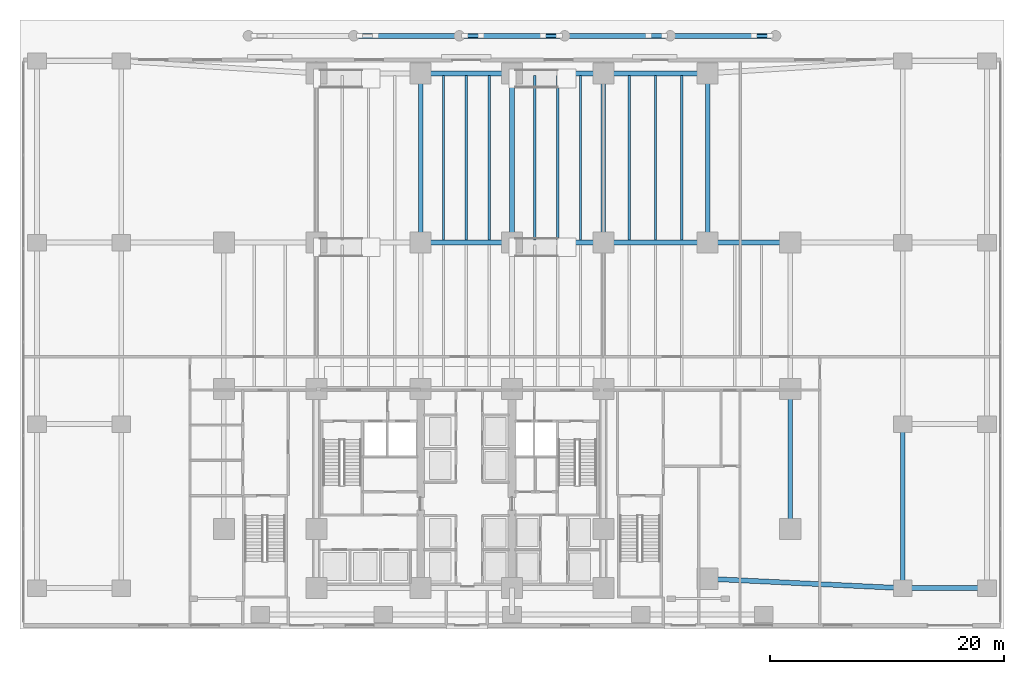
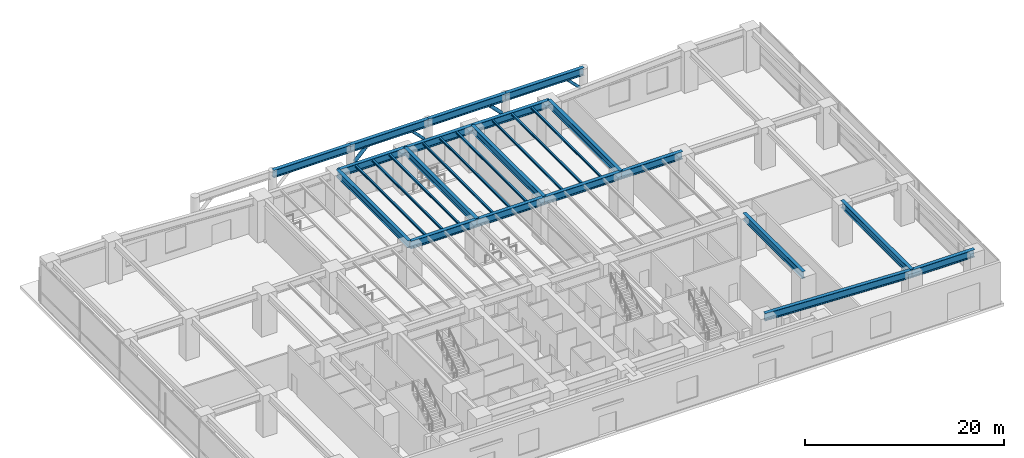
# One storey, part 5 of 19: 28 beams, 4 members.
"""IFC4 building model written with IfcOpenShell, lengths in metres."""

from ifc_helpers import new_model, si_unit, direction, frame, origin, origin_2d, place, context, subcontext, project, spatial, hollow_circle, i_section, extrude, material, material_profile, profile_set, type_object, element, save


model = new_model("IFC4")

# Units and contexts
model_context = context("Model", 3, precision=1e-05, world=origin(), true_north=direction((0.0, 1.0)))
body_context = subcontext(model_context, "Body", "Model", "MODEL_VIEW")
ifc_project = project(units=[si_unit("LENGTHUNIT", "METRE"), si_unit("AREAUNIT", "SQUARE_METRE"), si_unit("VOLUMEUNIT", "CUBIC_METRE"), si_unit("PLANEANGLEUNIT", "RADIAN"), si_unit("MASSUNIT", "GRAM", prefix="KILO")], contexts=[model_context])

# Site, building, storey
site_placement = place(None, origin())
site = spatial("IfcSite", under=ifc_project, at=site_placement, CompositionType="ELEMENT")
building_placement = place(site_placement, origin())
building = spatial("IfcBuilding", under=site, at=building_placement, Name="Qalmaran Belvedere Hotel", CompositionType="ELEMENT")
storey_placement = place(building_placement, origin())
storey = spatial("IfcBuildingStorey", under=building, at=storey_placement, Name="L00", CompositionType="ELEMENT", Elevation=0.0)

# Beams
ifc_material = material(Name="Steel S355JR", Category="steel")
ifc_material_profile_1 = material_profile(ifc_material, i_section(OverallWidth=0.201904296875, OverallDepth=0.2470703125, WebThickness=0.00732421875, FlangeThickness=0.010986328125, FilletRadius=0.011962890625, at=origin_2d()), Name="W250X49")
ifc_profile_set_1 = profile_set([ifc_material_profile_1], Name="Steel S355JR")
beam_type_1 = type_object("IfcBeamType", Name="BM-JST-W250X49", PredefinedType="JOIST", material=ifc_profile_set_1)
for number, where, z_axis, x_axis, name in (
    (1, (31.14990234375, 33.2080078125, 4.9765625), (0.0, 1.0, 0.0), (-1.0, 0.0, 0.0), "L00 Podium North-Ballroom Joist 086"),
    (2, (33.10009765625, 33.2080078125, 4.9765625), (0.0, 1.0, 0.0), (-1.0, 0.0, 0.0), "L00 Podium North-Ballroom Joist 088"),
    (3, (35.050048828125, 33.2080078125, 4.9765625), (0.0, 1.0, 0.0), (-1.0, 0.0, 0.0), "L00 Podium North-Ballroom Joist 090"),
    (4, (38.949951171875, 33.2080078125, 4.9765625), (0.0, 1.0, 0.0), (-1.0, 0.0, 0.0), "L00 Podium North-Ballroom Joist 092"),
    (5, (40.89990234375, 33.2080078125, 4.9765625), (0.0, 1.0, 0.0), (-1.0, 0.0, 0.0), "L00 Podium North-Ballroom Joist 094"),
    (6, (42.85009765625, 33.2080078125, 4.9765625), (0.0, 1.0, 0.0), (-1.0, 0.0, 0.0), "L00 Podium North-Ballroom Joist 096"),
    (7, (47.0, 33.2080078125, 4.9765625), (0.0, 1.0, 0.0), (-1.0, 0.0, 0.0), "L00 Podium North-Ballroom Joist 098"),
    (8, (49.25, 33.2080078125, 4.9765625), (0.0, 1.0, 0.0), (-1.0, 0.0, 0.0), "L00 Podium North-Ballroom Joist 100"),
    (9, (51.5, 33.2080078125, 4.9765625), (0.0, 1.0, 0.0), (-1.0, 0.0, 0.0), "L00 Podium North-Ballroom Joist 102"),
):
    element("IfcBeam", number, at=place(storey_placement, frame(where, z_axis=z_axis, x_axis=x_axis)), inside=storey, type_object=beam_type_1, Name=name, PredefinedType="JOIST", context=body_context, shape_type="SweptSolid", body=[
        extrude(i_section(OverallWidth=0.201904296875, OverallDepth=0.2470703125, WebThickness=0.00732421875, FlangeThickness=0.010986328125, FilletRadius=0.011962890625, at=origin_2d()), origin(), (0.0, 0.0, 1.0), 14.033935546875),
    ])
ifc_material_profile_2 = material_profile(ifc_material, i_section(OverallWidth=0.419921875, OverallDepth=0.9208984375, WebThickness=0.021240234375, FlangeThickness=0.03662109375, FilletRadius=0.02392578125, at=origin_2d()), Name="W920X387")
ifc_profile_set_2 = profile_set([ifc_material_profile_2], Name="Steel S355JR")
beam_type_2 = type_object("IfcBeamType", Name="BM-PG1-W920X387", PredefinedType="USERDEFINED", material=ifc_profile_set_2)
beam_1_placement = place(storey_placement, frame((53.699951171875, 4.300048828125, 4.639404296875), z_axis=(0.998847567159, -0.047995182885, 0.0), x_axis=(0.047995182885, 0.998847567159, 0.0)))
element("IfcBeam", 10, at=beam_1_placement, inside=storey, type_object=beam_type_2, Name="L00 Podium Primary Girder GX11", ObjectType="GIRDER", PredefinedType="USERDEFINED", context=body_context, shape_type="SweptSolid", body=[
    extrude(i_section(OverallWidth=0.419921875, OverallDepth=0.9208984375, WebThickness=0.021240234375, FlangeThickness=0.03662109375, FilletRadius=0.02392578125, at=origin_2d()), origin(), (0.0, 0.0, 1.0), 16.66943359375),
])
beam_2_placement = place(storey_placement, frame((70.35009765625, 3.5, 4.639404296875), z_axis=(1.0, 0.0, 0.0), x_axis=(0.0, 1.0, 0.0)))
element("IfcBeam", 11, at=beam_2_placement, inside=storey, type_object=beam_type_2, Name="L00 Podium Primary Girder GX12", ObjectType="GIRDER", PredefinedType="USERDEFINED", context=body_context, shape_type="SweptSolid", body=[
    extrude(i_section(OverallWidth=0.419921875, OverallDepth=0.9208984375, WebThickness=0.021240234375, FlangeThickness=0.03662109375, FilletRadius=0.02392578125, at=origin_2d()), origin(), (0.0, 0.0, 1.0), 7.199951171875),
])
for number, where, z_axis, x_axis, name in (
    (12, (29.199951171875, 33.0, 4.639404296875), (1.0, 0.0, 0.0), (0.0, 1.0, 0.0), "L00 Podium Primary Girder GX26"),
    (13, (37.0, 33.0, 4.639404296875), (1.0, 0.0, 0.0), (0.0, 1.0, 0.0), "L00 Podium Primary Girder GX27"),
):
    element("IfcBeam", number, at=place(storey_placement, frame(where, z_axis=z_axis, x_axis=x_axis)), inside=storey, type_object=beam_type_2, Name=name, ObjectType="GIRDER", PredefinedType="USERDEFINED", context=body_context, shape_type="SweptSolid", body=[
        extrude(i_section(OverallWidth=0.419921875, OverallDepth=0.9208984375, WebThickness=0.021240234375, FlangeThickness=0.03662109375, FilletRadius=0.02392578125, at=origin_2d()), origin(), (0.0, 0.0, 1.0), 7.800048828125),
    ])
beam_3_placement = place(storey_placement, frame((44.800048828125, 33.0, 4.639404296875), z_axis=(1.0, 0.0, 0.0), x_axis=(0.0, 1.0, 0.0)))
element("IfcBeam", 14, at=beam_3_placement, inside=storey, type_object=beam_type_2, Name="L00 Podium Primary Girder GX28", ObjectType="GIRDER", PredefinedType="USERDEFINED", context=body_context, shape_type="SweptSolid", body=[
    extrude(i_section(OverallWidth=0.419921875, OverallDepth=0.9208984375, WebThickness=0.021240234375, FlangeThickness=0.03662109375, FilletRadius=0.02392578125, at=origin_2d()), origin(), (0.0, 0.0, 1.0), 8.89990234375),
])
beam_4_placement = place(storey_placement, frame((53.699951171875, 33.0, 4.639404296875), z_axis=(1.0, 0.0, 0.0), x_axis=(0.0, 1.0, 0.0)))
element("IfcBeam", 15, at=beam_4_placement, inside=storey, type_object=beam_type_2, Name="L00 Podium Primary Girder GX29", ObjectType="GIRDER", PredefinedType="USERDEFINED", context=body_context, shape_type="SweptSolid", body=[
    extrude(i_section(OverallWidth=0.419921875, OverallDepth=0.9208984375, WebThickness=0.021240234375, FlangeThickness=0.03662109375, FilletRadius=0.02392578125, at=origin_2d()), origin(), (0.0, 0.0, 1.0), 7.050048828125),
])
for number, where, z_axis, x_axis, name in (
    (16, (29.199951171875, 47.449951171875, 4.639404296875), (1.0, 0.0, 0.0), (0.0, 1.0, 0.0), "L00 Podium Primary Girder GX35"),
    (17, (37.0, 47.449951171875, 4.639404296875), (1.0, 0.0, 0.0), (0.0, 1.0, 0.0), "L00 Podium Primary Girder GX36"),
):
    element("IfcBeam", number, at=place(storey_placement, frame(where, z_axis=z_axis, x_axis=x_axis)), inside=storey, type_object=beam_type_2, Name=name, ObjectType="GIRDER", PredefinedType="USERDEFINED", context=body_context, shape_type="SweptSolid", body=[
        extrude(i_section(OverallWidth=0.419921875, OverallDepth=0.9208984375, WebThickness=0.021240234375, FlangeThickness=0.03662109375, FilletRadius=0.02392578125, at=origin_2d()), origin(), (0.0, 0.0, 1.0), 7.800048828125),
    ])
beam_5_placement = place(storey_placement, frame((44.800048828125, 47.449951171875, 4.639404296875), z_axis=(1.0, 0.0, 0.0), x_axis=(0.0, 1.0, 0.0)))
element("IfcBeam", 18, at=beam_5_placement, inside=storey, type_object=beam_type_2, Name="L00 Podium Primary Girder GX37", ObjectType="GIRDER", PredefinedType="USERDEFINED", context=body_context, shape_type="SweptSolid", body=[
    extrude(i_section(OverallWidth=0.419921875, OverallDepth=0.9208984375, WebThickness=0.021240234375, FlangeThickness=0.03662109375, FilletRadius=0.02392578125, at=origin_2d()), origin(), (0.0, 0.0, 1.0), 8.89990234375),
])
for number, where, z_axis, x_axis, name in (
    (19, (23.5, 50.64990234375, 4.639404296875), (1.0, 0.0, 0.0), (0.0, 1.0, 0.0), "L00 Podium Primary Girder GX41"),
    (20, (32.5, 50.64990234375, 4.639404296875), (1.0, 0.0, 0.0), (0.0, 1.0, 0.0), "L00 Podium Primary Girder GX42"),
    (21, (41.5, 50.64990234375, 4.639404296875), (1.0, 0.0, 0.0), (0.0, 1.0, 0.0), "L00 Podium Primary Girder GX43"),
    (22, (50.5, 50.64990234375, 4.639404296875), (1.0, 0.0, 0.0), (0.0, 1.0, 0.0), "L00 Podium Primary Girder GX44"),
):
    element("IfcBeam", number, at=place(storey_placement, frame(where, z_axis=z_axis, x_axis=x_axis)), inside=storey, type_object=beam_type_2, Name=name, ObjectType="GIRDER", PredefinedType="USERDEFINED", context=body_context, shape_type="SweptSolid", body=[
        extrude(i_section(OverallWidth=0.419921875, OverallDepth=0.9208984375, WebThickness=0.021240234375, FlangeThickness=0.03662109375, FilletRadius=0.02392578125, at=origin_2d()), origin(), (0.0, 0.0, 1.0), 9.0),
    ])
ifc_material_profile_3 = material_profile(ifc_material, i_section(OverallWidth=0.39990234375, OverallDepth=0.85498046875, WebThickness=0.018310546875, FlangeThickness=0.029296875, FilletRadius=0.02392578125, at=origin_2d()), Name="W840X299")
ifc_profile_set_3 = profile_set([ifc_material_profile_3], Name="Steel S355JR")
beam_type_3 = type_object("IfcBeamType", Name="BM-PG3-W840X299", PredefinedType="USERDEFINED", material=ifc_profile_set_3)
for number, where, z_axis, x_axis, name in (
    (23, (29.199951171875, 33.0, 4.672607421875), (0.0, 1.0, 0.0), (-1.0, 0.0, 0.0), "L00 Podium Transverse Girder GY59"),
    (24, (37.0, 33.0, 4.672607421875), (0.0, 1.0, 0.0), (-1.0, 0.0, 0.0), "L00 Podium Transverse Girder GY63"),
    (25, (44.800048828125, 33.0, 4.672607421875), (0.0, 1.0, 0.0), (-1.0, 0.0, 0.0), "L00 Podium Transverse Girder GY67"),
    (26, (53.699951171875, 33.0, 4.672607421875), (0.0, 1.0, 0.0), (-1.0, 0.0, 0.0), "L00 Podium Transverse Girder GY68"),
):
    element("IfcBeam", number, at=place(storey_placement, frame(where, z_axis=z_axis, x_axis=x_axis)), inside=storey, type_object=beam_type_3, Name=name, ObjectType="GIRDER", PredefinedType="USERDEFINED", context=body_context, shape_type="SweptSolid", body=[
        extrude(i_section(OverallWidth=0.39990234375, OverallDepth=0.85498046875, WebThickness=0.018310546875, FlangeThickness=0.029296875, FilletRadius=0.02392578125, at=origin_2d()), origin(), (0.0, 0.0, 1.0), 14.449951171875),
    ])
beam_6_placement = place(storey_placement, frame((60.75, 8.550048828125, 4.672607421875), z_axis=(0.0, 1.0, 0.0), x_axis=(-1.0, 0.0, 0.0)))
element("IfcBeam", 27, at=beam_6_placement, inside=storey, type_object=beam_type_3, Name="L00 Podium Transverse Girder GY69", ObjectType="GIRDER", PredefinedType="USERDEFINED", context=body_context, shape_type="SweptSolid", body=[
    extrude(i_section(OverallWidth=0.39990234375, OverallDepth=0.85498046875, WebThickness=0.018310546875, FlangeThickness=0.029296875, FilletRadius=0.02392578125, at=origin_2d()), origin(), (0.0, 0.0, 1.0), 11.949951171875),
])
beam_7_placement = place(storey_placement, frame((70.35009765625, 3.5, 4.672607421875), z_axis=(0.0, 1.0, 0.0), x_axis=(-1.0, 0.0, 0.0)))
element("IfcBeam", 28, at=beam_7_placement, inside=storey, type_object=beam_type_3, Name="L00 Podium Transverse Girder GY71", ObjectType="GIRDER", PredefinedType="USERDEFINED", context=body_context, shape_type="SweptSolid", body=[
    extrude(i_section(OverallWidth=0.39990234375, OverallDepth=0.85498046875, WebThickness=0.018310546875, FlangeThickness=0.029296875, FilletRadius=0.02392578125, at=origin_2d()), origin(), (0.0, 0.0, 1.0), 14.0),
])

# Members
ifc_material_profile_4 = material_profile(ifc_material, hollow_circle(Radius=0.203125, WallThickness=0.01611328125, at=origin_2d()), Name="CHS406X16")
ifc_profile_set_4 = profile_set([ifc_material_profile_4], Name="Steel S355JR")
member_type_1 = type_object("IfcMemberType", Name="MEM-ST1-CHS406", PredefinedType="STRUT", material=ifc_profile_set_4)
for number, where, z_axis, x_axis, name in (
    (29, (32.965087890625, 50.64990234375, 2.75), (0.700778748256, 0.0, 0.713378683444), (0.0, 1.0, 0.0), "L00 Porte-Cochere Canopy Raking Strut 03"),
    (30, (50.034912109375, 50.64990234375, 2.75), (-0.700778748256, 0.0, 0.713378683444), (0.0, -1.0, 0.0), "L00 Porte-Cochere Canopy Raking Strut 05"),
):
    element("IfcMember", number, at=place(storey_placement, frame(where, z_axis=z_axis, x_axis=x_axis)), inside=storey, type_object=member_type_1, Name=name, PredefinedType="STRUT", context=body_context, shape_type="SweptSolid", body=[
        extrude(hollow_circle(Radius=0.203125, WallThickness=0.01611328125, at=origin_2d()), origin(), (0.0, 0.0, 1.0), 1.976318359375),
    ])
ifc_material_profile_5 = material_profile(ifc_material, hollow_circle(Radius=0.161865234375, WallThickness=0.012451171875, at=origin_2d()), Name="CHS323X12")
ifc_profile_set_5 = profile_set([ifc_material_profile_5], Name="Steel S355JR")
member_type_2 = type_object("IfcMemberType", Name="MEM-ST2-CHS323", PredefinedType="STRUT", material=ifc_profile_set_5)
for number, where, z_axis, x_axis, name in (
    (31, (41.034912109375, 50.64990234375, 2.75), (-0.700778748256, 0.0, 0.713378683444), (0.0, -1.0, 0.0), "L00 Porte-Cochere Canopy Raking Strut 04"),
    (32, (59.034912109375, 50.64990234375, 2.75), (-0.700778748256, 0.0, 0.713378683444), (0.0, -1.0, 0.0), "L00 Porte-Cochere Canopy Raking Strut 06"),
):
    element("IfcMember", number, at=place(storey_placement, frame(where, z_axis=z_axis, x_axis=x_axis)), inside=storey, type_object=member_type_2, Name=name, PredefinedType="STRUT", context=body_context, shape_type="SweptSolid", body=[
        extrude(hollow_circle(Radius=0.161865234375, WallThickness=0.012451171875, at=origin_2d()), origin(), (0.0, 0.0, 1.0), 1.976318359375),
    ])

save(model, "model.ifc")
